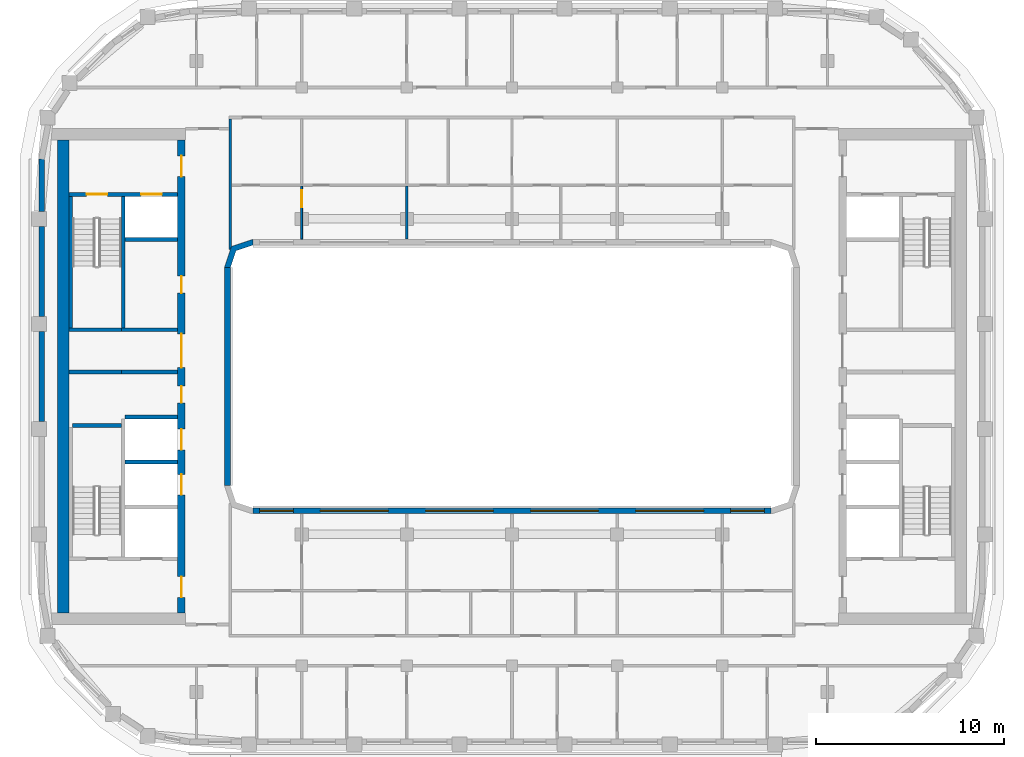
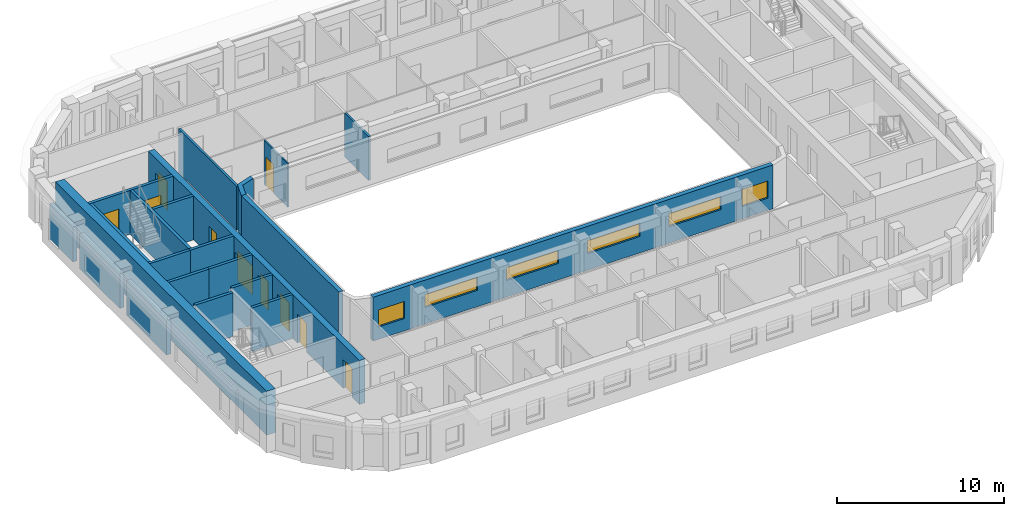
# One storey, part 4 of 16: 22 walls, 10 doors, 6 windows, 16 openings.
"""IFC4 building model written with IfcOpenShell, lengths in metres."""

from ifc_helpers import new_model, si_unit, direction, frame, frame_2d, origin, place, context, subcontext, project, spatial, polyline, rectangle, outline, extrude, material, layer, layer_set, type_object, element, fill, save


model = new_model("IFC4")

# Units and contexts
model_context = context("Model", 3, precision=1e-05, world=origin(), true_north=direction((0.0, 1.0)))
body_context = subcontext(model_context, "Body", "Model", "MODEL_VIEW")
ifc_project = project(units=[si_unit("LENGTHUNIT", "METRE"), si_unit("AREAUNIT", "SQUARE_METRE"), si_unit("VOLUMEUNIT", "CUBIC_METRE"), si_unit("PLANEANGLEUNIT", "RADIAN"), si_unit("MASSUNIT", "GRAM", prefix="KILO")], contexts=[model_context])

# Site, building, storey
site_placement = place(None, origin())
site = spatial("IfcSite", under=ifc_project, at=site_placement, CompositionType="ELEMENT")
building_placement = place(site_placement, origin())
building = spatial("IfcBuilding", under=site, at=building_placement, Name="Kiln Ring Residences", CompositionType="ELEMENT")
storey_placement = place(building_placement, frame((0.0, 0.0, 259.199951171875)))
storey = spatial("IfcBuildingStorey", under=building, at=storey_placement, Name="L67", CompositionType="ELEMENT", Elevation=259.199951171875)

# Walls
ifc_material_1 = material(Name="Gypsum board on steel studs", Category="steel")
ifc_layer_1 = layer(ifc_material_1, 0.199951171875)
ifc_layer_set_1 = layer_set([ifc_layer_1], Name="CORE-PARTITION-200")
wall_type_1 = type_object("IfcWallType", Name="CORE-PARTITION-200", PredefinedType="PARTITIONING", material=ifc_layer_set_1)
wall_1_placement = place(storey_placement, frame((-20.800048828125, 0.25, 0.0), z_axis=(0.0, 0.0, 1.0), x_axis=(-1.0, 0.0, 0.0)))
element("IfcWall", 1, at=wall_1_placement, inside=storey, type_object=wall_type_1, Name="Core partition west L67 1", PredefinedType="PARTITIONING", context=body_context, shape_type="SweptSolid", body=[
    extrude(rectangle(XDim=2.800048828125, YDim=0.199951171875, at=frame_2d((1.39990234375, 0.0))), origin(), (0.0, 0.0, 1.0), 3.199951171875),
])
ifc_material_2 = material(Name="Gypsum shaft wall system")
ifc_layer_2 = layer(ifc_material_2, 0.199951171875)
ifc_layer_set_2 = layer_set([ifc_layer_2], Name="CORE-SHAFT-WALL-200")
wall_type_2 = type_object("IfcWallType", Name="CORE-SHAFT-WALL-200", PredefinedType="PARTITIONING", material=ifc_layer_set_2)
for number, where, z_axis, x_axis, name in (
    (2, (-17.800048828125, -4.550048828125, 0.0), (0.0, 0.0, 1.0), (-1.0, 0.0, 0.0), "Core partition west L67 3"),
    (3, (-17.800048828125, -2.14990234375, 0.0), (0.0, 0.0, 1.0), (-1.0, 0.0, 0.0), "Core partition west L67 4"),
):
    element("IfcWall", number, at=place(storey_placement, frame(where, z_axis=z_axis, x_axis=x_axis)), inside=storey, type_object=wall_type_2, Name=name, PredefinedType="PARTITIONING", context=body_context, shape_type="SweptSolid", body=[
        extrude(rectangle(XDim=2.800048828125, YDim=0.199951171875, at=frame_2d((1.39990234375, 0.0))), origin(), (0.0, 0.0, 1.0), 3.199951171875),
    ])
for number, where, z_axis, x_axis, name in (
    (4, (-17.800048828125, 0.25, 0.0), (0.0, 0.0, 1.0), (-1.0, 0.0, 0.0), "Core partition west L67 5"),
    (5, (-17.800048828125, 2.5, 0.0), (0.0, 0.0, 1.0), (-1.0, 0.0, 0.0), "Core partition west L67 6"),
):
    element("IfcWall", number, at=place(storey_placement, frame(where, z_axis=z_axis, x_axis=x_axis)), inside=storey, type_object=wall_type_2, Name=name, PredefinedType="PARTITIONING", context=body_context, shape_type="SweptSolid", body=[
        extrude(rectangle(XDim=3.0, YDim=0.199951171875, at=frame_2d((1.5, 0.0))), origin(), (0.0, 0.0, 1.0), 3.199951171875),
    ])
wall_2_placement = place(storey_placement, frame((-17.800048828125, 7.300048828125, 0.0), z_axis=(0.0, 0.0, 1.0), x_axis=(-1.0, 0.0, 0.0)))
element("IfcWall", 6, at=wall_2_placement, inside=storey, type_object=wall_type_2, Name="Core partition west L67 7", PredefinedType="PARTITIONING", context=body_context, shape_type="SweptSolid", body=[
    extrude(rectangle(XDim=2.800048828125, YDim=0.199951171875, at=frame_2d((1.39990234375, 0.0))), origin(), (0.0, 0.0, 1.0), 3.199951171875),
])
ifc_material_3 = material(Name="Concrete C40/50", Category="concrete")
ifc_layer_3 = layer(ifc_material_3, 0.199951171875)
ifc_layer_set_3 = layer_set([ifc_layer_3], Name="CORE-WALL-RC200")
wall_type_3 = type_object("IfcWallType", Name="CORE-WALL-RC200", PredefinedType="SHEAR", material=ifc_layer_set_3)
wall_3_placement = place(storey_placement, frame((-20.699951171875, 2.60009765625, 0.0), z_axis=(0.0, 0.0, 1.0), x_axis=(0.0, 1.0, 0.0)))
element("IfcWall", 7, at=wall_3_placement, inside=storey, type_object=wall_type_3, Name="Core wall west L67 1", PredefinedType="SHEAR", context=body_context, shape_type="SweptSolid", body=[
    extrude(rectangle(XDim=7.0, YDim=0.199951171875, at=frame_2d((3.5, 0.0))), origin(), (0.0, 0.0, 1.0), 3.199951171875),
])
wall_4_placement = place(storey_placement, frame((-20.800048828125, 2.5, 0.0), z_axis=(0.0, 0.0, 1.0), x_axis=(-1.0, 0.0, 0.0)))
element("IfcWall", 8, at=wall_4_placement, inside=storey, type_object=wall_type_3, Name="Core wall west L67 3", PredefinedType="SHEAR", context=body_context, shape_type="SweptSolid", body=[
    extrude(rectangle(XDim=2.800048828125, YDim=0.199951171875, at=frame_2d((1.39990234375, 0.0))), origin(), (0.0, 0.0, 1.0), 3.199951171875),
])

# Wall, openings, doors
wall_5_placement = place(storey_placement, frame((-17.800048828125, 9.699951171875, 0.0), z_axis=(0.0, 0.0, 1.0), x_axis=(-1.0, 0.0, 0.0)))
wall_5 = element("IfcWall", 9, at=wall_5_placement, inside=storey, type_object=wall_type_3, Name="Core wall west L67 9", PredefinedType="SHEAR", context=body_context, shape_type="SweptSolid", body=[
    extrude(rectangle(XDim=5.800048828125, YDim=0.199951171875, at=frame_2d((2.89990234375, 0.0))), origin(), (0.0, 0.0, 1.0), 3.199951171875),
])
opening_1_placement = place(wall_5_placement, frame((0.85009765625, 0.0, 0.0)))
opening_1 = element("IfcOpeningElement", 10, at=opening_1_placement, cuts=wall_5, Name="Opening L67-CW06", PredefinedType="OPENING", context=body_context, shape_type="SweptSolid", body=[
    extrude(rectangle(XDim=1.10009765625, YDim=2.10009765625, at=frame_2d((0.550048828125, 1.050048828125))), frame((0.0, 0.10986328125, 0.0), z_axis=(0.0, -1.0, 0.0), x_axis=(1.0, 0.0, 0.0)), (0.0, 0.0, 1.0), 0.219970703125),
])
opening_2_placement = place(wall_5_placement, frame((3.75, 0.0, 0.0)))
opening_2 = element("IfcOpeningElement", 11, at=opening_2_placement, cuts=wall_5, Name="Opening L67-CW09", PredefinedType="OPENING", context=body_context, shape_type="SweptSolid", body=[
    extrude(rectangle(XDim=1.10009765625, YDim=2.10009765625, at=frame_2d((0.550048828125, 1.050048828125))), frame((0.0, 0.10986328125, 0.0), z_axis=(0.0, -1.0, 0.0), x_axis=(1.0, 0.0, 0.0)), (0.0, 0.0, 1.0), 0.219970703125),
])
ifc_material_4 = material(Name="Steel door leaf", Category="steel")
door_type_1 = type_object("IfcDoorType", Name="CORE-DOOR-LD", OperationType="DOUBLE_DOOR_SLIDING", PredefinedType="DOOR", material=ifc_material_4)
door_1_placement = place(opening_1_placement, origin())
door_1 = element("IfcDoor", 12, at=door_1_placement, inside=storey, type_object=door_type_1, Name="LD W-FF L67-CW06", OperationType="DOUBLE_DOOR_SLIDING", OverallHeight=2.10009765625, OverallWidth=1.10009765625, PredefinedType="DOOR", context=body_context, shape_type="SweptSolid", body=[
    extrude(rectangle(XDim=1.10009765625, YDim=2.10009765625, at=frame_2d((0.550048828125, 1.050048828125))), frame((0.0, 0.02490234375, 0.0), z_axis=(0.0, -1.0, 0.0), x_axis=(1.0, 0.0, 0.0)), (0.0, 0.0, 1.0), 0.050048828125),
])
fill(opening_1, door_1)
ifc_material_5 = material(Name="Steel door leaf", Category="steel")
door_type_2 = type_object("IfcDoorType", Name="CORE-DOOR-STAIR", OperationType="SINGLE_SWING_LEFT", PredefinedType="DOOR", material=ifc_material_5)
door_2_placement = place(opening_2_placement, origin())
door_2 = element("IfcDoor", 13, at=door_2_placement, inside=storey, type_object=door_type_2, Name="Stair W-STN L67-CW09", OperationType="SINGLE_SWING_LEFT", OverallHeight=2.10009765625, OverallWidth=1.10009765625, PredefinedType="DOOR", context=body_context, shape_type="SweptSolid", body=[
    extrude(rectangle(XDim=1.10009765625, YDim=2.10009765625, at=frame_2d((0.550048828125, 1.050048828125))), frame((0.0, 0.02490234375, 0.0), z_axis=(0.0, -1.0, 0.0), x_axis=(1.0, 0.0, 0.0)), (0.0, 0.0, 1.0), 0.050048828125),
])
fill(opening_2, door_2)

# Walls
wall_6_placement = place(storey_placement, frame((-23.5, 2.60009765625, 0.0), z_axis=(0.0, 0.0, 1.0), x_axis=(0.0, 1.0, 0.0)))
element("IfcWall", 14, at=wall_6_placement, inside=storey, type_object=wall_type_3, Name="Core wall west L67 10", PredefinedType="SHEAR", context=body_context, shape_type="SweptSolid", body=[
    extrude(rectangle(XDim=7.0, YDim=0.199951171875, at=frame_2d((3.5, 0.0))), origin(), (0.0, 0.0, 1.0), 3.199951171875),
])
wall_7_placement = place(storey_placement, frame((-20.800048828125, -2.60009765625, 0.0), z_axis=(0.0, 0.0, 1.0), x_axis=(-1.0, 0.0, 0.0)))
element("IfcWall", 15, at=wall_7_placement, inside=storey, type_object=wall_type_3, Name="Core wall west L67 12", PredefinedType="SHEAR", context=body_context, shape_type="SweptSolid", body=[
    extrude(rectangle(XDim=2.599853515625, YDim=0.199951171875, at=frame_2d((1.2998046875, 0.0))), origin(), (0.0, 0.0, 1.0), 3.199951171875),
])

# Wall, openings, doors
ifc_material_6 = material(Name="Concrete C60/75", Category="concrete")
ifc_layer_4 = layer(ifc_material_6, 0.39990234375)
ifc_layer_set_4 = layer_set([ifc_layer_4], Name="CORE-WALL-RC400")
wall_type_4 = type_object("IfcWallType", Name="CORE-WALL-RC400", PredefinedType="SHEAR", material=ifc_layer_set_4)
wall_8_placement = place(storey_placement, frame((-17.60009765625, -12.60009765625, 0.0), z_axis=(0.0, 0.0, 1.0), x_axis=(0.0, 1.0, 0.0)))
wall_8 = element("IfcWall", 16, at=wall_8_placement, inside=storey, type_object=wall_type_4, Name="Core wall west L67 6", PredefinedType="SHEAR", context=body_context, shape_type="SweptSolid", body=[
    extrude(rectangle(XDim=25.2001953125, YDim=0.39990234375, at=frame_2d((12.60009765625, 0.0))), origin(), (0.0, 0.0, 1.0), 3.199951171875),
])
opening_3_placement = place(wall_8_placement, frame((6.300048828125, 0.0, 0.0)))
opening_3 = element("IfcOpeningElement", 17, at=opening_3_placement, cuts=wall_8, Name="Opening L67-CW02", PredefinedType="OPENING", context=body_context, shape_type="SweptSolid", body=[
    extrude(rectangle(XDim=1.10009765625, YDim=2.10009765625, at=frame_2d((0.550048828125, 1.050048828125))), frame((0.0, 0.2099609375, 0.0), z_axis=(0.0, -1.0, 0.0), x_axis=(1.0, 0.0, 0.0)), (0.0, 0.0, 1.0), 0.419921875),
])
opening_4_placement = place(wall_8_placement, frame((8.699951171875, 0.0, 0.0)))
opening_4 = element("IfcOpeningElement", 18, at=opening_4_placement, cuts=wall_8, Name="Opening L67-CW03", PredefinedType="OPENING", context=body_context, shape_type="SweptSolid", body=[
    extrude(rectangle(XDim=1.10009765625, YDim=2.10009765625, at=frame_2d((0.550048828125, 1.050048828125))), frame((0.0, 0.2099609375, 0.0), z_axis=(0.0, -1.0, 0.0), x_axis=(1.0, 0.0, 0.0)), (0.0, 0.0, 1.0), 0.419921875),
])
opening_5_placement = place(wall_8_placement, frame((11.199951171875, 0.0, 0.0)))
opening_5 = element("IfcOpeningElement", 19, at=opening_5_placement, cuts=wall_8, Name="Opening L67-CW04", PredefinedType="OPENING", context=body_context, shape_type="SweptSolid", body=[
    extrude(rectangle(XDim=0.89990234375, YDim=2.10009765625, at=frame_2d((0.449951171875, 1.050048828125))), frame((0.0, 0.2099609375, 0.0), z_axis=(0.0, -1.0, 0.0), x_axis=(1.0, 0.0, 0.0)), (0.0, 0.0, 1.0), 0.419921875),
])
opening_6_placement = place(wall_8_placement, frame((17.050048828125, 0.0, 0.0)))
opening_6 = element("IfcOpeningElement", 20, at=opening_6_placement, cuts=wall_8, Name="Opening L67-CW05", PredefinedType="OPENING", context=body_context, shape_type="SweptSolid", body=[
    extrude(rectangle(XDim=0.89990234375, YDim=2.10009765625, at=frame_2d((0.449951171875, 1.050048828125))), frame((0.0, 0.2099609375, 0.0), z_axis=(0.0, -1.0, 0.0), x_axis=(1.0, 0.0, 0.0)), (0.0, 0.0, 1.0), 0.419921875),
])
opening_7_placement = place(wall_8_placement, frame((23.25, 0.0, 0.0)))
opening_7 = element("IfcOpeningElement", 21, at=opening_7_placement, cuts=wall_8, Name="Opening L67-CW07", PredefinedType="OPENING", context=body_context, shape_type="SweptSolid", body=[
    extrude(rectangle(XDim=1.10009765625, YDim=2.10009765625, at=frame_2d((0.550048828125, 1.050048828125))), frame((0.0, 0.2099609375, 0.0), z_axis=(0.0, -1.0, 0.0), x_axis=(1.0, 0.0, 0.0)), (0.0, 0.0, 1.0), 0.419921875),
])
opening_8_placement = place(wall_8_placement, frame((0.85009765625, 0.0, 0.0)))
opening_8 = element("IfcOpeningElement", 22, at=opening_8_placement, cuts=wall_8, Name="Opening L67-CW08", PredefinedType="OPENING", context=body_context, shape_type="SweptSolid", body=[
    extrude(rectangle(XDim=1.10009765625, YDim=2.10009765625, at=frame_2d((0.550048828125, 1.050048828125))), frame((0.0, 0.2099609375, 0.0), z_axis=(0.0, -1.0, 0.0), x_axis=(1.0, 0.0, 0.0)), (0.0, 0.0, 1.0), 0.419921875),
])
opening_9_placement = place(wall_8_placement, frame((13.074951171875, 0.0, 0.0)))
opening_9 = element("IfcOpeningElement", 23, at=opening_9_placement, cuts=wall_8, Name="Opening L67-CW11", PredefinedType="OPENING", context=body_context, shape_type="SweptSolid", body=[
    extrude(rectangle(XDim=1.800048828125, YDim=2.10009765625, at=frame_2d((0.89990234375, 1.050048828125))), frame((0.0, 0.2099609375, 0.0), z_axis=(0.0, -1.0, 0.0), x_axis=(1.0, 0.0, 0.0)), (0.0, 0.0, 1.0), 0.419921875),
])
door_3_placement = place(opening_3_placement, origin())
door_3 = element("IfcDoor", 24, at=door_3_placement, inside=storey, type_object=door_type_1, Name="LD W-H1 L67-CW02", OperationType="DOUBLE_DOOR_SLIDING", OverallHeight=2.10009765625, OverallWidth=1.10009765625, PredefinedType="DOOR", context=body_context, shape_type="SweptSolid", body=[
    extrude(rectangle(XDim=1.10009765625, YDim=2.10009765625, at=frame_2d((0.550048828125, 1.050048828125))), frame((0.0, 0.02490234375, 0.0), z_axis=(0.0, -1.0, 0.0), x_axis=(1.0, 0.0, 0.0)), (0.0, 0.0, 1.0), 0.050048828125),
])
fill(opening_3, door_3)
door_4_placement = place(opening_4_placement, origin())
door_4 = element("IfcDoor", 25, at=door_4_placement, inside=storey, type_object=door_type_1, Name="LD W-H2 L67-CW03", OperationType="DOUBLE_DOOR_SLIDING", OverallHeight=2.10009765625, OverallWidth=1.10009765625, PredefinedType="DOOR", context=body_context, shape_type="SweptSolid", body=[
    extrude(rectangle(XDim=1.10009765625, YDim=2.10009765625, at=frame_2d((0.550048828125, 1.050048828125))), frame((0.0, 0.02490234375, 0.0), z_axis=(0.0, -1.0, 0.0), x_axis=(1.0, 0.0, 0.0)), (0.0, 0.0, 1.0), 0.050048828125),
])
fill(opening_4, door_4)
ifc_material_7 = material(Name="Steel door leaf", Category="steel")
door_type_3 = type_object("IfcDoorType", Name="CORE-DOOR-LOBBY", OperationType="SINGLE_SWING_LEFT", PredefinedType="DOOR", material=ifc_material_7)
door_5_placement = place(opening_7_placement, origin())
door_5 = element("IfcDoor", 26, at=door_5_placement, inside=storey, type_object=door_type_3, Name="FFL L67-CW07", OperationType="SINGLE_SWING_RIGHT", OverallHeight=2.10009765625, OverallWidth=1.10009765625, PredefinedType="DOOR", context=body_context, shape_type="SweptSolid", body=[
    extrude(rectangle(XDim=1.10009765625, YDim=2.10009765625, at=frame_2d((0.550048828125, 1.050048828125))), frame((0.0, 0.02490234375, 0.0), z_axis=(0.0, -1.0, 0.0), x_axis=(1.0, 0.0, 0.0)), (0.0, 0.0, 1.0), 0.050048828125),
])
fill(opening_7, door_5)
door_6_placement = place(opening_8_placement, origin())
door_6 = element("IfcDoor", 27, at=door_6_placement, inside=storey, type_object=door_type_3, Name="SVL L67-CW08", OperationType="SINGLE_SWING_LEFT", OverallHeight=2.10009765625, OverallWidth=1.10009765625, PredefinedType="DOOR", context=body_context, shape_type="SweptSolid", body=[
    extrude(rectangle(XDim=1.10009765625, YDim=2.10009765625, at=frame_2d((0.550048828125, 1.050048828125))), frame((0.0, 0.02490234375, 0.0), z_axis=(0.0, -1.0, 0.0), x_axis=(1.0, 0.0, 0.0)), (0.0, 0.0, 1.0), 0.050048828125),
])
fill(opening_8, door_6)
ifc_material_8 = material(Name="Steel door leaf", Category="steel")
door_type_4 = type_object("IfcDoorType", Name="CORE-DOOR-PASS", OperationType="DOUBLE_DOOR_SINGLE_SWING", PredefinedType="DOOR", material=ifc_material_8)
door_7_placement = place(opening_9_placement, origin())
door_7 = element("IfcDoor", 28, at=door_7_placement, inside=storey, type_object=door_type_4, Name="Core passage L67-CW11", OperationType="DOUBLE_DOOR_SINGLE_SWING", OverallHeight=2.10009765625, OverallWidth=1.800048828125, PredefinedType="DOOR", context=body_context, shape_type="SweptSolid", body=[
    extrude(rectangle(XDim=1.800048828125, YDim=2.10009765625, at=frame_2d((0.89990234375, 1.050048828125))), frame((0.0, 0.02490234375, 0.0), z_axis=(0.0, -1.0, 0.0), x_axis=(1.0, 0.0, 0.0)), (0.0, 0.0, 1.0), 0.050048828125),
])
fill(opening_9, door_7)
ifc_material_9 = material(Name="Steel door leaf", Category="steel")
door_type_5 = type_object("IfcDoorType", Name="CORE-DOOR-ROOM", OperationType="SINGLE_SWING_LEFT", PredefinedType="DOOR", material=ifc_material_9)
door_8_placement = place(opening_5_placement, origin())
door_8 = element("IfcDoor", 29, at=door_8_placement, inside=storey, type_object=door_type_5, Name="Staff room L67-CW04", OperationType="SINGLE_SWING_RIGHT", OverallHeight=2.10009765625, OverallWidth=0.89990234375, PredefinedType="DOOR", context=body_context, shape_type="SweptSolid", body=[
    extrude(rectangle(XDim=0.89990234375, YDim=2.10009765625, at=frame_2d((0.449951171875, 1.050048828125))), frame((0.0, 0.02490234375, 0.0), z_axis=(0.0, -1.0, 0.0), x_axis=(1.0, 0.0, 0.0)), (0.0, 0.0, 1.0), 0.050048828125),
])
fill(opening_5, door_8)
door_9_placement = place(opening_6_placement, origin())
door_9 = element("IfcDoor", 30, at=door_9_placement, inside=storey, type_object=door_type_5, Name="Locker store L67-CW05", OperationType="SINGLE_SWING_LEFT", OverallHeight=2.10009765625, OverallWidth=0.89990234375, PredefinedType="DOOR", context=body_context, shape_type="SweptSolid", body=[
    extrude(rectangle(XDim=0.89990234375, YDim=2.10009765625, at=frame_2d((0.449951171875, 1.050048828125))), frame((0.0, 0.02490234375, 0.0), z_axis=(0.0, -1.0, 0.0), x_axis=(1.0, 0.0, 0.0)), (0.0, 0.0, 1.0), 0.050048828125),
])
fill(opening_6, door_9)

# Walls
ifc_material_10 = material(Name="Concrete C60/75", Category="concrete")
ifc_layer_5 = layer(ifc_material_10, 0.60009765625)
ifc_layer_set_5 = layer_set([ifc_layer_5], Name="CORE-WALL-RC600")
wall_type_5 = type_object("IfcWallType", Name="CORE-WALL-RC600", PredefinedType="SHEAR", material=ifc_layer_set_5)
wall_9_placement = place(storey_placement, frame((-23.89990234375, -12.60009765625, 0.0), z_axis=(0.0, 0.0, 1.0), x_axis=(0.0, 1.0, 0.0)))
element("IfcWall", 31, at=wall_9_placement, inside=storey, type_object=wall_type_5, Name="Core wall west L67 7", PredefinedType="SHEAR", context=body_context, shape_type="SweptSolid", body=[
    extrude(rectangle(XDim=25.2001953125, YDim=0.60009765625, at=frame_2d((12.60009765625, 0.0))), origin(), (0.0, 0.0, 1.0), 3.199951171875),
])
ifc_material_11 = material(Name="Brick masonry, dark clay brick", Category="masonry")
ifc_layer_6 = layer(ifc_material_11, 0.300048828125)
ifc_layer_set_6 = layer_set([ifc_layer_6], Name="EW-300 BRICK WALL")
wall_type_6 = type_object("IfcWallType", Name="EW-300 BRICK WALL", PredefinedType="SOLIDWALL", material=ifc_layer_set_6)
wall_10_placement = place(storey_placement, frame((-25.050048828125, 11.60009765625, 0.0), z_axis=(0.0, 0.0, 1.0), x_axis=(0.0, -1.0, 0.0)))
element("IfcWall", 32, at=wall_10_placement, inside=storey, type_object=wall_type_6, Name="Facade wall L67 38", PredefinedType="SOLIDWALL", context=body_context, shape_type="SweptSolid", body=[
    extrude(rectangle(XDim=2.800048828125, YDim=0.300048828125, at=frame_2d((1.39990234375, 0.0))), origin(), (0.0, 0.0, 1.0), 2.550048828125),
])
wall_11_placement = place(storey_placement, frame((-25.050048828125, 8.0, 0.0), z_axis=(0.0, 0.0, 1.0), x_axis=(0.0, -1.0, 0.0)))
element("IfcWall", 33, at=wall_11_placement, inside=storey, type_object=wall_type_6, Name="Facade wall L67 39", PredefinedType="SOLIDWALL", context=body_context, shape_type="SweptSolid", body=[
    extrude(rectangle(XDim=4.800048828125, YDim=0.300048828125, at=frame_2d((2.39990234375, 0.0))), origin(), (0.0, 0.0, 1.0), 2.550048828125),
])
wall_12_placement = place(storey_placement, frame((-25.050048828125, 2.39990234375, 0.0), z_axis=(0.0, 0.0, 1.0), x_axis=(0.0, -1.0, 0.0)))
element("IfcWall", 34, at=wall_12_placement, inside=storey, type_object=wall_type_6, Name="Facade wall L67 40", PredefinedType="SOLIDWALL", context=body_context, shape_type="SweptSolid", body=[
    extrude(rectangle(XDim=4.7998046875, YDim=0.300048828125, at=frame_2d((2.39990234375, 0.0))), origin(), (0.0, 0.0, 1.0), 2.550048828125),
])
wall_13_placement = place(storey_placement, frame((-15.14990234375, -5.800048828125, 0.0), z_axis=(0.0, 0.0, 1.0), x_axis=(0.0, 1.0, 0.0)))
element("IfcWall", 35, at=wall_13_placement, inside=storey, type_object=wall_type_6, Name="Facade wall L67 45", PredefinedType="SOLIDWALL", context=body_context, shape_type="SweptSolid", body=[
    extrude(rectangle(XDim=11.60009765625, YDim=0.300048828125, at=frame_2d((5.800048828125, 0.0))), origin(), (0.0, 0.0, 1.0), 3.199951171875),
])

# Wall, openings, windows
wall_14_placement = place(storey_placement, frame((13.800048828125, -7.14990234375, 0.0), z_axis=(0.0, 0.0, 1.0), x_axis=(-1.0, 0.0, 0.0)))
wall_14 = element("IfcWall", 36, at=wall_14_placement, inside=storey, type_object=wall_type_6, Name="Facade wall L67 48", PredefinedType="SOLIDWALL", context=body_context, shape_type="SweptSolid", body=[
    extrude(rectangle(XDim=27.60009765625, YDim=0.300048828125, at=frame_2d((13.800048828125, 0.0))), origin(), (0.0, 0.0, 1.0), 3.199951171875),
])
opening_10_placement = place(wall_14_placement, frame((0.362548828125, 0.0, 0.89990234375)))
opening_10 = element("IfcOpeningElement", 37, at=opening_10_placement, cuts=wall_14, Name="Opening W2", PredefinedType="OPENING", context=body_context, shape_type="SweptSolid", body=[
    extrude(rectangle(XDim=1.800048828125, YDim=1.25, at=frame_2d((0.89990234375, 0.625))), frame((0.0, 0.159912109375, 0.0), z_axis=(0.0, -1.0, 0.0), x_axis=(1.0, 0.0, 0.0)), (0.0, 0.0, 1.0), 0.320068359375),
])
opening_11_placement = place(wall_14_placement, frame((3.60009765625, 0.0, 1.199951171875)))
opening_11 = element("IfcOpeningElement", 38, at=opening_11_placement, cuts=wall_14, Name="Opening W4", PredefinedType="OPENING", context=body_context, shape_type="SweptSolid", body=[
    extrude(rectangle(XDim=3.60009765625, YDim=0.949951171875, at=frame_2d((1.800048828125, 0.47509765625))), frame((0.0, 0.159912109375, 0.0), z_axis=(0.0, -1.0, 0.0), x_axis=(1.0, 0.0, 0.0)), (0.0, 0.0, 1.0), 0.320068359375),
])
opening_12_placement = place(wall_14_placement, frame((9.199951171875, 0.0, 1.199951171875)))
opening_12 = element("IfcOpeningElement", 39, at=opening_12_placement, cuts=wall_14, Name="Opening W4", PredefinedType="OPENING", context=body_context, shape_type="SweptSolid", body=[
    extrude(rectangle(XDim=3.60009765625, YDim=0.949951171875, at=frame_2d((1.800048828125, 0.47509765625))), frame((0.0, 0.159912109375, 0.0), z_axis=(0.0, -1.0, 0.0), x_axis=(1.0, 0.0, 0.0)), (0.0, 0.0, 1.0), 0.320068359375),
])
opening_13_placement = place(wall_14_placement, frame((14.800048828125, 0.0, 1.199951171875)))
opening_13 = element("IfcOpeningElement", 40, at=opening_13_placement, cuts=wall_14, Name="Opening W4", PredefinedType="OPENING", context=body_context, shape_type="SweptSolid", body=[
    extrude(rectangle(XDim=3.60009765625, YDim=0.949951171875, at=frame_2d((1.800048828125, 0.47509765625))), frame((0.0, 0.159912109375, 0.0), z_axis=(0.0, -1.0, 0.0), x_axis=(1.0, 0.0, 0.0)), (0.0, 0.0, 1.0), 0.320068359375),
])
opening_14_placement = place(wall_14_placement, frame((20.39990234375, 0.0, 1.199951171875)))
opening_14 = element("IfcOpeningElement", 41, at=opening_14_placement, cuts=wall_14, Name="Opening W4", PredefinedType="OPENING", context=body_context, shape_type="SweptSolid", body=[
    extrude(rectangle(XDim=3.60009765625, YDim=0.949951171875, at=frame_2d((1.800048828125, 0.47509765625))), frame((0.0, 0.159912109375, 0.0), z_axis=(0.0, -1.0, 0.0), x_axis=(1.0, 0.0, 0.0)), (0.0, 0.0, 1.0), 0.320068359375),
])
opening_15_placement = place(wall_14_placement, frame((25.4375, 0.0, 0.89990234375)))
opening_15 = element("IfcOpeningElement", 42, at=opening_15_placement, cuts=wall_14, Name="Opening W2", PredefinedType="OPENING", context=body_context, shape_type="SweptSolid", body=[
    extrude(rectangle(XDim=1.800048828125, YDim=1.25, at=frame_2d((0.89990234375, 0.625))), frame((0.0, 0.159912109375, 0.0), z_axis=(0.0, -1.0, 0.0), x_axis=(1.0, 0.0, 0.0)), (0.0, 0.0, 1.0), 0.320068359375),
])
ifc_material_12 = material(Name="Aluminium frame with double glazing", Category="aluminium")
window_type_1 = type_object("IfcWindowType", Name="WINDOW 1800 x 1250", PartitioningType="SINGLE_PANEL", PredefinedType="WINDOW", material=ifc_material_12)
window_1_placement = place(opening_10_placement, origin())
window_1 = element("IfcWindow", 43, at=window_1_placement, inside=storey, type_object=window_type_1, Name="Window L67 44", OverallHeight=1.25, OverallWidth=1.800048828125, PartitioningType="SINGLE_PANEL", PredefinedType="WINDOW", context=body_context, shape_type="SweptSolid", body=[
    extrude(rectangle(XDim=1.800048828125, YDim=1.25, at=frame_2d((0.89990234375, 0.625))), frame((0.0, 0.030029296875, 0.0), z_axis=(0.0, -1.0, 0.0), x_axis=(1.0, 0.0, 0.0)), (0.0, 0.0, 1.0), 0.06005859375),
])
fill(opening_10, window_1)
window_2_placement = place(opening_15_placement, origin())
window_2 = element("IfcWindow", 44, at=window_2_placement, inside=storey, type_object=window_type_1, Name="Window L67 49", OverallHeight=1.25, OverallWidth=1.800048828125, PartitioningType="SINGLE_PANEL", PredefinedType="WINDOW", context=body_context, shape_type="SweptSolid", body=[
    extrude(rectangle(XDim=1.800048828125, YDim=1.25, at=frame_2d((0.89990234375, 0.625))), frame((0.0, 0.030029296875, 0.0), z_axis=(0.0, -1.0, 0.0), x_axis=(1.0, 0.0, 0.0)), (0.0, 0.0, 1.0), 0.06005859375),
])
fill(opening_15, window_2)
ifc_material_13 = material(Name="Aluminium frame with double glazing", Category="aluminium")
window_type_2 = type_object("IfcWindowType", Name="WINDOW 3600 x 950", PartitioningType="SINGLE_PANEL", PredefinedType="WINDOW", material=ifc_material_13)
window_3_placement = place(opening_11_placement, origin())
window_3 = element("IfcWindow", 45, at=window_3_placement, inside=storey, type_object=window_type_2, Name="Window L67 45", OverallHeight=0.949951171875, OverallWidth=3.60009765625, PartitioningType="SINGLE_PANEL", PredefinedType="WINDOW", context=body_context, shape_type="SweptSolid", body=[
    extrude(rectangle(XDim=3.60009765625, YDim=0.949951171875, at=frame_2d((1.800048828125, 0.47509765625))), frame((0.0, 0.030029296875, 0.0), z_axis=(0.0, -1.0, 0.0), x_axis=(1.0, 0.0, 0.0)), (0.0, 0.0, 1.0), 0.06005859375),
])
fill(opening_11, window_3)
window_4_placement = place(opening_12_placement, origin())
window_4 = element("IfcWindow", 46, at=window_4_placement, inside=storey, type_object=window_type_2, Name="Window L67 46", OverallHeight=0.949951171875, OverallWidth=3.60009765625, PartitioningType="SINGLE_PANEL", PredefinedType="WINDOW", context=body_context, shape_type="SweptSolid", body=[
    extrude(rectangle(XDim=3.60009765625, YDim=0.949951171875, at=frame_2d((1.800048828125, 0.47509765625))), frame((0.0, 0.030029296875, 0.0), z_axis=(0.0, -1.0, 0.0), x_axis=(1.0, 0.0, 0.0)), (0.0, 0.0, 1.0), 0.06005859375),
])
fill(opening_12, window_4)
window_5_placement = place(opening_13_placement, origin())
window_5 = element("IfcWindow", 47, at=window_5_placement, inside=storey, type_object=window_type_2, Name="Window L67 47", OverallHeight=0.949951171875, OverallWidth=3.60009765625, PartitioningType="SINGLE_PANEL", PredefinedType="WINDOW", context=body_context, shape_type="SweptSolid", body=[
    extrude(rectangle(XDim=3.60009765625, YDim=0.949951171875, at=frame_2d((1.800048828125, 0.47509765625))), frame((0.0, 0.030029296875, 0.0), z_axis=(0.0, -1.0, 0.0), x_axis=(1.0, 0.0, 0.0)), (0.0, 0.0, 1.0), 0.06005859375),
])
fill(opening_13, window_5)
window_6_placement = place(opening_14_placement, origin())
window_6 = element("IfcWindow", 48, at=window_6_placement, inside=storey, type_object=window_type_2, Name="Window L67 48", OverallHeight=0.949951171875, OverallWidth=3.60009765625, PartitioningType="SINGLE_PANEL", PredefinedType="WINDOW", context=body_context, shape_type="SweptSolid", body=[
    extrude(rectangle(XDim=3.60009765625, YDim=0.949951171875, at=frame_2d((1.800048828125, 0.47509765625))), frame((0.0, 0.030029296875, 0.0), z_axis=(0.0, -1.0, 0.0), x_axis=(1.0, 0.0, 0.0)), (0.0, 0.0, 1.0), 0.06005859375),
])
fill(opening_14, window_6)

# Wall
wall_15_placement = place(storey_placement, origin())
element("IfcWall", 49, at=wall_15_placement, inside=storey, type_object=wall_type_6, Name="Corner wall L67 1", PredefinedType="SOLIDWALL", context=body_context, shape_type="SweptSolid", body=[
    extrude(outline(polyline([(-13.8486328125, 7.300048828125), (-14.937255859375, 6.937255859375), (-15.300048828125, 5.8486328125), (-15.300048828125, 5.800048828125), (-15.0, 5.800048828125), (-14.699951171875, 6.699951171875), (-13.800048828125, 7.0), (-13.800048828125, 7.300048828125), (-13.8486328125, 7.300048828125)])), origin(), (0.0, 0.0, 1.0), 3.199951171875),
])

# Wall, opening, door
ifc_material_14 = material(Name="Gypsum board on steel studs", Category="steel")
ifc_layer_7 = layer(ifc_material_14, 0.10009765625)
ifc_layer_set_7 = layer_set([ifc_layer_7], Name="PARTITION-100")
wall_type_7 = type_object("IfcWallType", Name="PARTITION-100", PredefinedType="PARTITIONING", material=ifc_layer_set_7)
wall_16_placement = place(storey_placement, frame((-11.199951171875, 7.320068359375, 0.0), z_axis=(0.0, 0.0, 1.0), x_axis=(0.0, 1.0, 0.0)))
wall_16 = element("IfcWall", 50, at=wall_16_placement, inside=storey, type_object=wall_type_7, Name="Partition 018", PredefinedType="PARTITIONING", context=body_context, shape_type="SweptSolid", body=[
    extrude(rectangle(XDim=2.829833984375, YDim=0.10009765625, at=frame_2d((1.4150390625, 0.0))), origin(), (0.0, 0.0, 1.0), 3.199951171875),
])
opening_16_placement = place(wall_16_placement, frame((1.699951171875, 0.0, 0.0)))
opening_16 = element("IfcOpeningElement", 51, at=opening_16_placement, cuts=wall_16, Name="Opening L67-D008", PredefinedType="OPENING", context=body_context, shape_type="SweptSolid", body=[
    extrude(rectangle(XDim=0.89990234375, YDim=2.10009765625, at=frame_2d((0.449951171875, 1.050048828125))), frame((0.0, 0.06005859375, 0.0), z_axis=(0.0, -1.0, 0.0), x_axis=(1.0, 0.0, 0.0)), (0.0, 0.0, 1.0), 0.1201171875),
])
ifc_material_15 = material(Name="Timber door leaf", Category="wood")
door_type_6 = type_object("IfcDoorType", Name="FLAT-DOOR-900-PL", OperationType="SINGLE_SWING_LEFT", PredefinedType="DOOR", material=ifc_material_15)
door_10_placement = place(opening_16_placement, origin())
door_10 = element("IfcDoor", 52, at=door_10_placement, inside=storey, type_object=door_type_6, Name="Door L67-D008", OperationType="SINGLE_SWING_RIGHT", OverallHeight=2.10009765625, OverallWidth=0.89990234375, PredefinedType="DOOR", context=body_context, shape_type="SweptSolid", body=[
    extrude(rectangle(XDim=0.89990234375, YDim=2.10009765625, at=frame_2d((0.449951171875, 1.050048828125))), frame((0.0, 0.02490234375, 0.0), z_axis=(0.0, -1.0, 0.0), x_axis=(1.0, 0.0, 0.0)), (0.0, 0.0, 1.0), 0.050048828125),
])
fill(opening_16, door_10)

# Walls
ifc_material_16 = material(Name="Brick masonry partition", Category="masonry")
ifc_layer_8 = layer(ifc_material_16, 0.14990234375)
ifc_layer_set_8 = layer_set([ifc_layer_8], Name="PARTITION-150-ei60")
wall_type_8 = type_object("IfcWallType", Name="PARTITION-150-ei60", PredefinedType="PARTITIONING", material=ifc_layer_set_8)
wall_17_placement = place(storey_placement, frame((-15.0, 6.768798828125, 0.0), z_axis=(0.0, 0.0, 1.0), x_axis=(0.0, 1.0, 0.0)))
element("IfcWall", 53, at=wall_17_placement, inside=storey, type_object=wall_type_8, Name="Partition 013", PredefinedType="PARTITIONING", context=body_context, shape_type="SweptSolid", body=[
    extrude(rectangle(XDim=6.956298828125, YDim=0.14990234375, at=frame_2d((3.47802734375, 0.0))), origin(), (0.0, 0.0, 1.0), 3.199951171875),
])
wall_18_placement = place(storey_placement, frame((-5.60009765625, 7.320068359375, 0.0), z_axis=(0.0, 0.0, 1.0), x_axis=(0.0, 1.0, 0.0)))
element("IfcWall", 54, at=wall_18_placement, inside=storey, type_object=wall_type_8, Name="Partition 027", PredefinedType="PARTITIONING", context=body_context, shape_type="SweptSolid", body=[
    extrude(rectangle(XDim=2.829833984375, YDim=0.14990234375, at=frame_2d((1.4150390625, 0.0))), origin(), (0.0, 0.0, 1.0), 3.199951171875),
])

save(model, "model.ifc")
